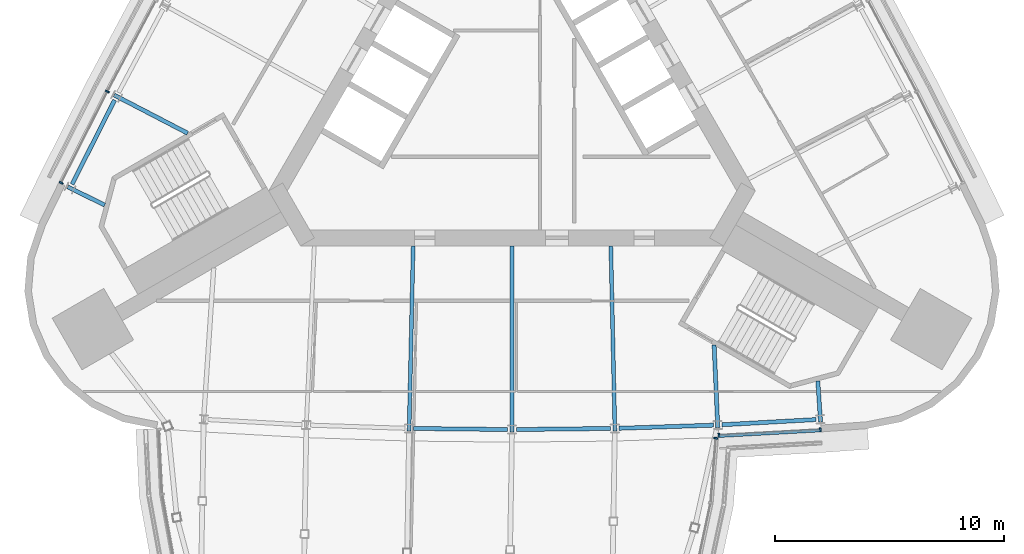
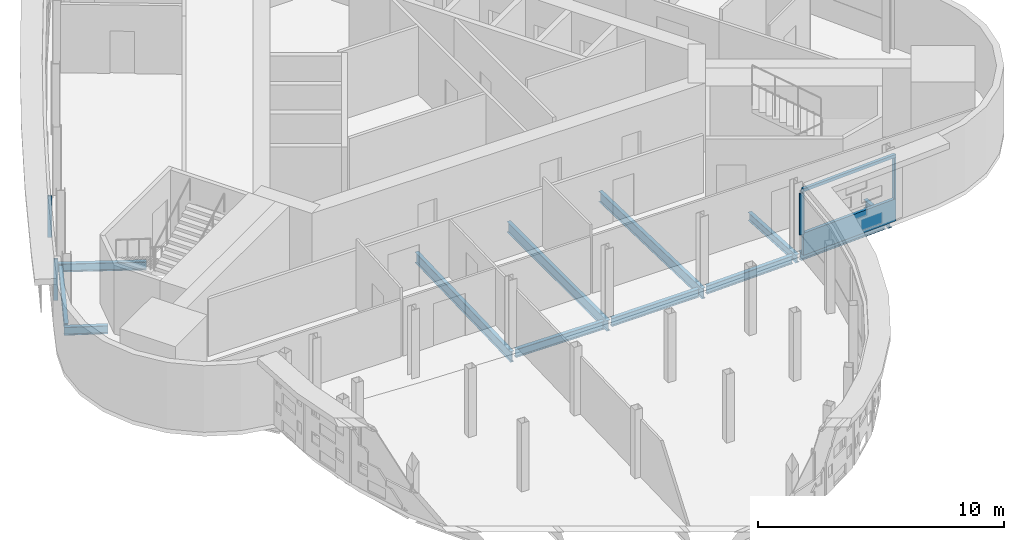
# One storey, part 4 of 14: 12 beams, 7 members, 3 elements without a shape of their own.
"""IFC4 building model written with IfcOpenShell, lengths in metres."""

from ifc_helpers import new_model, si_unit, direction, frame, origin, origin_2d, place, context, subcontext, project, spatial, polyline, rectangle, i_section, outline, extrude, material, material_profile, profile_set, type_object, element, aggregate, save


model = new_model("IFC4")

# Units and contexts
model_context = context("Model", 3, precision=1e-05, world=origin(), true_north=direction((0.0, 1.0)))
body_context = subcontext(model_context, "Body", "Model", "MODEL_VIEW")
ifc_project = project(units=[si_unit("LENGTHUNIT", "METRE"), si_unit("AREAUNIT", "SQUARE_METRE"), si_unit("VOLUMEUNIT", "CUBIC_METRE"), si_unit("PLANEANGLEUNIT", "RADIAN"), si_unit("MASSUNIT", "GRAM", prefix="KILO")], contexts=[model_context])

# Site, building, storey
site_placement = place(None, origin())
site = spatial("IfcSite", under=ifc_project, at=site_placement, CompositionType="ELEMENT")
building_placement = place(site_placement, origin())
building = spatial("IfcBuilding", under=site, at=building_placement, Name="Noor Cloister Tower", CompositionType="ELEMENT")
storey_placement = place(building_placement, frame((0.0, 0.0, 222.0)))
storey = spatial("IfcBuildingStorey", under=building, at=storey_placement, Name="L57", CompositionType="ELEMENT", Elevation=222.0)

# Curtain wall, member
ifc_material_1 = material(Name="Aluminium 6063-T6 anodised", Category="aluminium")
curtain_wall_type_1 = type_object("IfcCurtainWallType", Name="Ribbon curtain wall, upper tower CW5", PredefinedType="NOTDEFINED", material=ifc_material_1)
curtain_wall_1_placement = place(storey_placement, origin())
curtain_wall_1 = element("IfcCurtainWall", 1, at=curtain_wall_1_placement, inside=storey, type_object=curtain_wall_type_1, Name="CW5 L57 S run 3", PredefinedType="NOTDEFINED")
ifc_material_2 = material(Name="Aluminium 6063-T6 anodised", Category="aluminium")
member_type_1 = type_object("IfcMemberType", Name="Head transom CW5 150", PredefinedType="USERDEFINED", material=ifc_material_2)
member_1_placement = place(storey_placement, frame((0.0, 0.0, 3.14990234375)))
member_1 = element("IfcMember", 2, at=member_1_placement, type_object=member_type_1, Name="CW5 head transom", ObjectType="TRANSOM", PredefinedType="USERDEFINED", context=body_context, shape_type="SweptSolid", body=[
    extrude(outline(polyline([(8.9970703125, -15.291259765625), (13.489990234375, -15.04248046875), (13.482421875, -14.902587890625), (8.9892578125, -15.151611328125), (8.9970703125, -15.291259765625)])), origin(), (0.0, 0.0, 1.0), 0.150146484375),
])

# Curtain wall, members
curtain_wall_2_placement = place(storey_placement, origin())
curtain_wall_2 = element("IfcCurtainWall", 3, at=curtain_wall_2_placement, inside=storey, type_object=curtain_wall_type_1, Name="CW5 L57 NW run 1", PredefinedType="NOTDEFINED")
ifc_material_3 = material(Name="Aluminium 6063-T6 anodised", Category="aluminium")
ifc_material_profile_1 = material_profile(ifc_material_3, rectangle(XDim=0.179931640625, YDim=0.070068359375, at=origin_2d()), Name="180 x 70 mullion")
ifc_profile_set_1 = profile_set([ifc_material_profile_1], Name="Aluminium 6063-T6 anodised")
member_type_2 = type_object("IfcMemberType", Name="Mullion CW5 70 x 180", PredefinedType="MULLION", material=ifc_profile_set_1)
member_2_placement = place(storey_placement, frame((-17.652587890625, -0.192138671875, 1.10009765625), z_axis=(0.0, 0.0, 1.0), x_axis=(0.887303238306, -0.461186473449, 0.0)))
member_2 = element("IfcMember", 4, at=member_2_placement, type_object=member_type_2, Name="CW5 mullion 6", PredefinedType="MULLION", context=body_context, shape_type="SweptSolid", body=[
    extrude(rectangle(XDim=0.179931640625, YDim=0.070068359375, at=origin_2d()), origin(), (0.0, 0.0, 1.0), 2.0498046875),
])
member_3_placement = place(storey_placement, frame((-19.667236328125, -4.175537109375, 1.10009765625), z_axis=(0.0, 0.0, 1.0), x_axis=(0.892352618471, -0.451338901833, 0.0)))
member_3 = element("IfcMember", 5, at=member_3_placement, type_object=member_type_2, Name="CW5 mullion 7", PredefinedType="MULLION", context=body_context, shape_type="SweptSolid", body=[
    extrude(rectangle(XDim=0.179931640625, YDim=0.070068359375, at=origin_2d()), origin(), (0.0, 0.0, 1.0), 2.0498046875),
])
aggregate(curtain_wall_2, [member_2, member_3])

# Member
member_4_placement = place(storey_placement, frame((9.0263671875, -15.189453125, 1.10009765625), z_axis=(0.0, 0.0, 1.0), x_axis=(-0.055305354532, 0.998469487646, 0.0)))
member_4 = element("IfcMember", 6, at=member_4_placement, type_object=member_type_2, Name="CW5 mullion 1", PredefinedType="MULLION", context=body_context, shape_type="SweptSolid", body=[
    extrude(rectangle(XDim=0.179931640625, YDim=0.070068359375, at=origin_2d()), origin(), (0.0, 0.0, 1.0), 2.0498046875),
])

member_5_placement = place(storey_placement, frame((13.44970703125, -14.944580078125, 1.10009765625), z_axis=(0.0, 0.0, 1.0), x_axis=(-0.055305354532, 0.998469487646, 0.0)))
member_5 = element("IfcMember", 7, at=member_5_placement, type_object=member_type_2, Name="CW5 mullion 2", PredefinedType="MULLION", context=body_context, shape_type="SweptSolid", body=[
    extrude(rectangle(XDim=0.179931640625, YDim=0.070068359375, at=origin_2d()), origin(), (0.0, 0.0, 1.0), 2.0498046875),
])

# Curtain wall, member
ifc_material_4 = material(Name="Aluminium 6063-T6 anodised", Category="aluminium")
curtain_wall_type_2 = type_object("IfcCurtainWallType", Name="Sky bar curtain wall, upper bars CW6", PredefinedType="NOTDEFINED", material=ifc_material_4)
curtain_wall_3_placement = place(storey_placement, origin())
curtain_wall_3 = element("IfcCurtainWall", 8, at=curtain_wall_3_placement, inside=storey, type_object=curtain_wall_type_2, Name="CW6 L57 S sky bar run 2", PredefinedType="NOTDEFINED")
ifc_material_5 = material(Name="Aluminium 6063-T6 anodised", Category="aluminium")
ifc_material_profile_2 = material_profile(ifc_material_5, rectangle(XDim=0.179931640625, YDim=0.070068359375, at=origin_2d()), Name="180 x 70 mullion")
ifc_profile_set_2 = profile_set([ifc_material_profile_2], Name="Aluminium 6063-T6 anodised")
member_type_3 = type_object("IfcMemberType", Name="Mullion CW6 70 x 180", PredefinedType="MULLION", material=ifc_profile_set_2)
member_6_placement = place(storey_placement, frame((8.89453125, -15.318115234375, 1.10009765625), z_axis=(0.0, 0.0, 1.0), x_axis=(-0.996727566111, 0.080834144736, 0.0)))
member_6 = element("IfcMember", 9, at=member_6_placement, type_object=member_type_3, Name="CW6 mullion 19", PredefinedType="MULLION", context=body_context, shape_type="SweptSolid", body=[
    extrude(rectangle(XDim=0.179931640625, YDim=0.070068359375, at=origin_2d()), origin(), (0.0, 0.0, 1.0), 2.0498046875),
])
aggregate(curtain_wall_3, [member_6])

# Beams
ifc_material_6 = material(Name="Steel ASTM A992 Gr 50", Category="steel")
ifc_material_profile_3 = material_profile(ifc_material_6, i_section(OverallWidth=0.177978515625, OverallDepth=0.406005859375, WebThickness=0.0078125, FlangeThickness=0.0126953125, FilletRadius=0.01025390625, at=origin_2d()), Name="W410x60")
ifc_profile_set_3 = profile_set([ifc_material_profile_3], Name="Steel ASTM A992 Gr 50")
beam_type_1 = type_object("IfcBeamType", Name="Radial beam W410x60", PredefinedType="BEAM", material=ifc_profile_set_3)
beam_1_placement = place(storey_placement, frame((-17.356201171875, -0.34619140625, -0.403076171875), z_axis=(0.887295423172, -0.461201509124, 0.0), x_axis=(0.461201509124, 0.887295423172, 0.0)))
element("IfcBeam", 10, at=beam_1_placement, inside=storey, type_object=beam_type_1, Name="Radial beam NW 06 L57", PredefinedType="BEAM", context=body_context, shape_type="SweptSolid", body=[
    extrude(i_section(OverallWidth=0.177978515625, OverallDepth=0.406005859375, WebThickness=0.0078125, FlangeThickness=0.0126953125, FilletRadius=0.01025390625, at=origin_2d()), origin(), (0.0, 0.0, 1.0), 3.609130859375),
])
beam_2_placement = place(storey_placement, frame((-19.3828125, -4.35302734375, -0.403076171875), z_axis=(0.897289957795, -0.441441651457, 0.0), x_axis=(0.441441651457, 0.897289957795, 0.0)))
element("IfcBeam", 11, at=beam_2_placement, inside=storey, type_object=beam_type_1, Name="Radial beam NW 07 L57", PredefinedType="BEAM", context=body_context, shape_type="SweptSolid", body=[
    extrude(i_section(OverallWidth=0.177978515625, OverallDepth=0.406005859375, WebThickness=0.0078125, FlangeThickness=0.0126953125, FilletRadius=0.01025390625, at=origin_2d()), origin(), (0.0, 0.0, 1.0), 1.79638671875),
])
beam_3_placement = place(storey_placement, frame((8.977783203125, -14.857666015625, -0.403076171875), z_axis=(-0.044241579343, 0.999020861973, 0.0), x_axis=(-0.999020861973, -0.044241579343, 0.0)))
element("IfcBeam", 12, at=beam_3_placement, inside=storey, type_object=beam_type_1, Name="Radial beam S 06 L57", PredefinedType="BEAM", context=body_context, shape_type="SweptSolid", body=[
    extrude(i_section(OverallWidth=0.177978515625, OverallDepth=0.406005859375, WebThickness=0.0078125, FlangeThickness=0.0126953125, FilletRadius=0.01025390625, at=origin_2d()), origin(), (0.0, 0.0, 1.0), 3.60888671875),
])
beam_4_placement = place(storey_placement, frame((13.461181640625, -14.609375, -0.403076171875), z_axis=(-0.066329561589, 0.997797769721, 0.0), x_axis=(-0.997797769721, -0.066329561589, 0.0)))
element("IfcBeam", 13, at=beam_4_placement, inside=storey, type_object=beam_type_1, Name="Radial beam S 07 L57", PredefinedType="BEAM", context=body_context, shape_type="SweptSolid", body=[
    extrude(i_section(OverallWidth=0.177978515625, OverallDepth=0.406005859375, WebThickness=0.0078125, FlangeThickness=0.0126953125, FilletRadius=0.01025390625, at=origin_2d()), origin(), (0.0, 0.0, 1.0), 1.796142578125),
])
ifc_material_7 = material(Name="Steel ASTM A992 Gr 50", Category="steel")
ifc_material_profile_4 = material_profile(ifc_material_7, i_section(OverallWidth=0.166015625, OverallDepth=0.528076171875, WebThickness=0.009765625, FlangeThickness=0.013671875, FilletRadius=0.0126953125, at=origin_2d()), Name="W530x74")
ifc_profile_set_4 = profile_set([ifc_material_profile_4], Name="Steel ASTM A992 Gr 50")
beam_type_2 = type_object("IfcBeamType", Name="Radial beam W530x74", PredefinedType="BEAM", material=ifc_profile_set_4)
beam_5_placement = place(storey_placement, frame((-4.489990234375, -15.0068359375, -0.464111328125), z_axis=(0.022116076152, 0.999755409676, 0.0), x_axis=(-0.999755409676, 0.022116076152, 0.0)))
element("IfcBeam", 14, at=beam_5_placement, inside=storey, type_object=beam_type_2, Name="Radial beam S 03 L57", PredefinedType="BEAM", context=body_context, shape_type="SweptSolid", body=[
    extrude(i_section(OverallWidth=0.166015625, OverallDepth=0.528076171875, WebThickness=0.009765625, FlangeThickness=0.013671875, FilletRadius=0.0126953125, at=origin_2d()), origin(), (0.0, 0.0, 1.0), 8.08056640625),
])
beam_6_placement = place(storey_placement, frame((0.0, -15.056396484375, -0.464111328125), z_axis=(0.0, 1.0, 0.0), x_axis=(-1.0, 0.0, 0.0)))
element("IfcBeam", 15, at=beam_6_placement, inside=storey, type_object=beam_type_2, Name="Radial beam S 04 L57", PredefinedType="BEAM", context=body_context, shape_type="SweptSolid", body=[
    extrude(i_section(OverallWidth=0.166015625, OverallDepth=0.528076171875, WebThickness=0.009765625, FlangeThickness=0.013671875, FilletRadius=0.0126953125, at=origin_2d()), origin(), (0.0, 0.0, 1.0), 8.128173828125),
])
beam_7_placement = place(storey_placement, frame((4.489990234375, -15.0068359375, -0.464111328125), z_axis=(-0.022116076152, 0.999755409676, 0.0), x_axis=(-0.999755409676, -0.022116076152, 0.0)))
element("IfcBeam", 16, at=beam_7_placement, inside=storey, type_object=beam_type_2, Name="Radial beam S 05 L57", PredefinedType="BEAM", context=body_context, shape_type="SweptSolid", body=[
    extrude(i_section(OverallWidth=0.166015625, OverallDepth=0.528076171875, WebThickness=0.009765625, FlangeThickness=0.013671875, FilletRadius=0.0126953125, at=origin_2d()), origin(), (0.0, 0.0, 1.0), 8.08056640625),
])

# Member
ifc_material_8 = material(Name="Aluminium 6063-T6 anodised", Category="aluminium")
member_type_4 = type_object("IfcMemberType", Name="Sill transom CW5 1100", PredefinedType="USERDEFINED", material=ifc_material_8)
member_7_placement = place(storey_placement, origin())
member_7 = element("IfcMember", 17, at=member_7_placement, type_object=member_type_4, Name="CW5 sill transom", ObjectType="TRANSOM", PredefinedType="USERDEFINED", context=body_context, shape_type="SweptSolid", body=[
    extrude(outline(polyline([(8.9970703125, -15.291259765625), (13.489990234375, -15.04248046875), (13.482421875, -14.902587890625), (8.9892578125, -15.151611328125), (8.9970703125, -15.291259765625)])), origin(), (0.0, 0.0, 1.0), 1.10009765625),
])

aggregate(curtain_wall_1, [member_4, member_5, member_7, member_1])

# Beams
ifc_material_9 = material(Name="Steel ASTM A992 Gr 50", Category="steel")
ifc_material_profile_5 = material_profile(ifc_material_9, i_section(OverallWidth=0.177978515625, OverallDepth=0.406005859375, WebThickness=0.0078125, FlangeThickness=0.0126953125, FilletRadius=0.01025390625, at=origin_2d()), Name="W410x60")
ifc_profile_set_5 = profile_set([ifc_material_profile_5], Name="Steel ASTM A992 Gr 50")
beam_type_3 = type_object("IfcBeamType", Name="Spandrel beam W410x60", PredefinedType="SPANDREL", material=ifc_profile_set_5)
beam_8_placement = place(storey_placement, frame((-17.33740234375, -0.566162109375, -0.403076171875), z_axis=(-0.451362231773, -0.892340818146, 0.0), x_axis=(0.892340818146, -0.451362231773, 0.0)))
element("IfcBeam", 18, at=beam_8_placement, inside=storey, type_object=beam_type_3, Name="Spandrel beam NW 06 L57", PredefinedType="SPANDREL", context=body_context, shape_type="SweptSolid", body=[
    extrude(i_section(OverallWidth=0.177978515625, OverallDepth=0.406005859375, WebThickness=0.0078125, FlangeThickness=0.0126953125, FilletRadius=0.01025390625, at=origin_2d()), origin(), (0.0, 0.0, 1.0), 4.114501953125),
])
for number, where, z_axis, x_axis, name in (
    (19, (-4.301025390625, -14.892822265625, -0.403076171875), (0.999938445661, -0.011095264305, 0.0), (0.011095264305, 0.999938445661, 0.0), "Spandrel beam S 03 L57"),
    (20, (0.1865234375, -14.9384765625, -0.403076171875), (0.999938445661, 0.011095264305, 0.0), (-0.011095264305, 0.999938445661, 0.0), "Spandrel beam S 04 L57"),
    (21, (4.673828125, -14.884765625, -0.403076171875), (0.999447866334, 0.033225930849, 0.0), (-0.033225930849, 0.999447866334, 0.0), "Spandrel beam S 05 L57"),
    (22, (9.158935546875, -14.7314453125, -0.403076171875), (0.998469831997, 0.055299137356, 0.0), (-0.055299137356, 0.998469831997, 0.0), "Spandrel beam S 06 L57"),
):
    element("IfcBeam", number, at=place(storey_placement, frame(where, z_axis=z_axis, x_axis=x_axis)), inside=storey, type_object=beam_type_3, Name=name, PredefinedType="SPANDREL", context=body_context, shape_type="SweptSolid", body=[
        extrude(i_section(OverallWidth=0.177978515625, OverallDepth=0.406005859375, WebThickness=0.0078125, FlangeThickness=0.0126953125, FilletRadius=0.01025390625, at=origin_2d()), origin(), (0.0, 0.0, 1.0), 4.11474609375),
    ])

save(model, "model.ifc")
